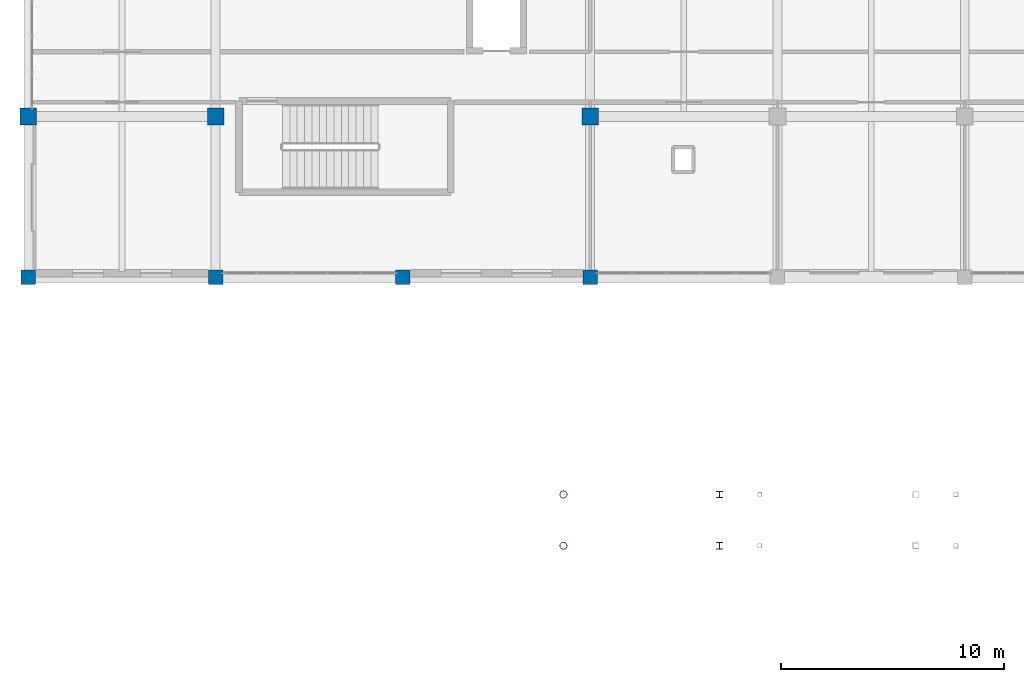
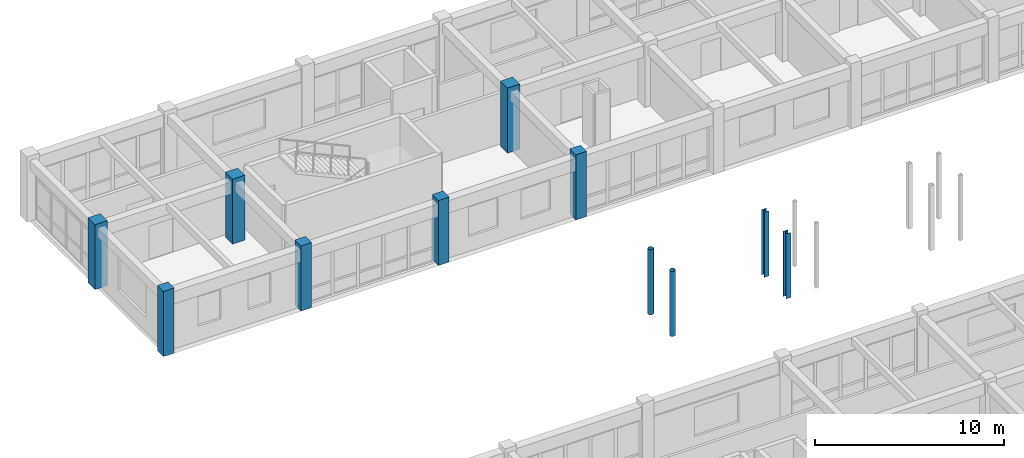
# One storey, part 15 of 147: 11 columns.
"""IFC4 building model written with IfcOpenShell, lengths in metres."""

from ifc_helpers import new_model, si_unit, direction, frame, origin, origin_2d, place, context, subcontext, project, spatial, rectangle, hollow_circle, i_section, extrude, material, material_profile, profile_set, type_object, element, save


model = new_model("IFC4")

# Units and contexts
model_context = context("Model", 3, precision=1e-05, world=origin(), true_north=direction((0.0, 1.0)))
body_context = subcontext(model_context, "Body", "Model", "MODEL_VIEW")
ifc_project = project(units=[si_unit("LENGTHUNIT", "METRE"), si_unit("AREAUNIT", "SQUARE_METRE"), si_unit("VOLUMEUNIT", "CUBIC_METRE"), si_unit("PLANEANGLEUNIT", "RADIAN"), si_unit("MASSUNIT", "GRAM", prefix="KILO")], contexts=[model_context])

# Site, building, storey
site_placement = place(None, origin())
site = spatial("IfcSite", under=ifc_project, at=site_placement, CompositionType="ELEMENT")
building_placement = place(site_placement, origin())
building = spatial("IfcBuilding", under=site, at=building_placement, Name="Malvenik Polytechnic", CompositionType="ELEMENT")
storey_placement = place(building_placement, frame((0.0, 0.0, 5.10009765625)))
storey = spatial("IfcBuildingStorey", under=building, at=storey_placement, Name="L01", CompositionType="ELEMENT", Elevation=5.10009765625)

# Columns
ifc_material_1 = material(Name="Concrete C40/50", Category="concrete")
ifc_material_profile_1 = material_profile(ifc_material_1, rectangle(XDim=0.75, YDim=0.75, at=origin_2d()), Name="RC COL 750x750")
ifc_profile_set_1 = profile_set([ifc_material_profile_1], Name="Concrete C40/50")
column_type_1 = type_object("IfcColumnType", Name="STR-COL-C-03", PredefinedType="COLUMN", material=ifc_profile_set_1)
for number, where, z_axis, x_axis, name in (
    (1, (0.0, 122.39990234375, 0.0), (0.0, 0.0, 1.0), (1.0, 0.0, 0.0), "Column C-03 L01 (0.0,122.4)"),
    (2, (8.39990234375, 122.39990234375, 0.0), (0.0, 0.0, 1.0), (1.0, 0.0, 0.0), "Column C-03 L01 (8.4,122.4)"),
    (3, (25.199951171875, 122.39990234375, 0.0), (0.0, 0.0, 1.0), (1.0, 0.0, 0.0), "Column C-03 L01 (25.2,122.4)"),
):
    element("IfcColumn", number, at=place(storey_placement, frame(where, z_axis=z_axis, x_axis=x_axis)), inside=storey, type_object=column_type_1, Name=name, PredefinedType="COLUMN", context=body_context, shape_type="SweptSolid", body=[
        extrude(rectangle(XDim=0.75, YDim=0.75, at=origin_2d()), origin(), (0.0, 0.0, 1.0), 4.199951171875),
    ])
ifc_material_2 = material(Name="Concrete C35/45", Category="concrete")
ifc_material_profile_2 = material_profile(ifc_material_2, rectangle(XDim=0.64990234375, YDim=0.64990234375, at=origin_2d()), Name="RC COL 650x650")
ifc_profile_set_2 = profile_set([ifc_material_profile_2], Name="Concrete C35/45")
column_type_2 = type_object("IfcColumnType", Name="STR-COL-C-05", PredefinedType="COLUMN", material=ifc_profile_set_2)
for number, where, z_axis, x_axis, name in (
    (4, (0.0, 115.199951171875, 0.0), (0.0, 0.0, 1.0), (1.0, 0.0, 0.0), "Column C-05 L01 (0.0,115.2)"),
    (5, (8.39990234375, 115.199951171875, 0.0), (0.0, 0.0, 1.0), (1.0, 0.0, 0.0), "Column C-05 L01 (8.4,115.2)"),
    (6, (16.800048828125, 115.199951171875, 0.0), (0.0, 0.0, 1.0), (1.0, 0.0, 0.0), "Column C-05 L01 (16.8,115.2)"),
    (7, (25.199951171875, 115.199951171875, 0.0), (0.0, 0.0, 1.0), (1.0, 0.0, 0.0), "Column C-05 L01 (25.2,115.2)"),
):
    element("IfcColumn", number, at=place(storey_placement, frame(where, z_axis=z_axis, x_axis=x_axis)), inside=storey, type_object=column_type_2, Name=name, PredefinedType="COLUMN", context=body_context, shape_type="SweptSolid", body=[
        extrude(rectangle(XDim=0.64990234375, YDim=0.64990234375, at=origin_2d()), origin(), (0.0, 0.0, 1.0), 4.199951171875),
    ])
ifc_material_3 = material(Name="Steel S355J2H", Category="steel")
ifc_material_profile_3 = material_profile(ifc_material_3, hollow_circle(Radius=0.161865234375, WallThickness=0.012451171875, at=origin_2d()), Name="CHS 323.9x12.5")
ifc_profile_set_3 = profile_set([ifc_material_profile_3], Name="Steel S355J2H")
column_type_3 = type_object("IfcColumnType", Name="STR-SCOL-SC-04", PredefinedType="COLUMN", material=ifc_profile_set_3)
for number, where, z_axis, x_axis, name in (
    (8, (24.0, 103.14990234375, 0.0), (0.0, 0.0, 1.0), (1.0, 0.0, 0.0), "Bridge-Ramp Support Column SC-04 L01"),
    (9, (24.0, 105.449951171875, 0.0), (0.0, 0.0, 1.0), (1.0, 0.0, 0.0), "Bridge-Ramp Support Column SC-04 L01"),
):
    element("IfcColumn", number, at=place(storey_placement, frame(where, z_axis=z_axis, x_axis=x_axis)), inside=storey, type_object=column_type_3, Name=name, PredefinedType="COLUMN", context=body_context, shape_type="SweptSolid", body=[
        extrude(hollow_circle(Radius=0.161865234375, WallThickness=0.012451171875, at=origin_2d()), origin(), (0.0, 0.0, 1.0), 4.199951171875),
    ])
ifc_material_4 = material(Name="Steel S355", Category="steel")
ifc_material_profile_4 = material_profile(ifc_material_4, i_section(OverallWidth=0.300048828125, OverallDepth=0.300048828125, WebThickness=0.010986328125, FlangeThickness=0.01904296875, FilletRadius=0.027099609375, at=origin_2d()), Name="HEB 300")
ifc_profile_set_4 = profile_set([ifc_material_profile_4], Name="Steel S355")
column_type_4 = type_object("IfcColumnType", Name="STR-SCOL-SC-05", PredefinedType="COLUMN", material=ifc_profile_set_4)
for number, where, z_axis, x_axis, name in (
    (10, (31.0, 103.14990234375, 0.0), (0.0, 0.0, 1.0), (1.0, 0.0, 0.0), "Bridge-Ramp Support Column SC-05 L01"),
    (11, (31.0, 105.449951171875, 0.0), (0.0, 0.0, 1.0), (1.0, 0.0, 0.0), "Bridge-Ramp Support Column SC-05 L01"),
):
    element("IfcColumn", number, at=place(storey_placement, frame(where, z_axis=z_axis, x_axis=x_axis)), inside=storey, type_object=column_type_4, Name=name, PredefinedType="COLUMN", context=body_context, shape_type="SweptSolid", body=[
        extrude(i_section(OverallWidth=0.300048828125, OverallDepth=0.300048828125, WebThickness=0.010986328125, FlangeThickness=0.01904296875, FilletRadius=0.027099609375, at=origin_2d()), origin(), (0.0, 0.0, 1.0), 4.199951171875),
    ])

save(model, "model.ifc")
